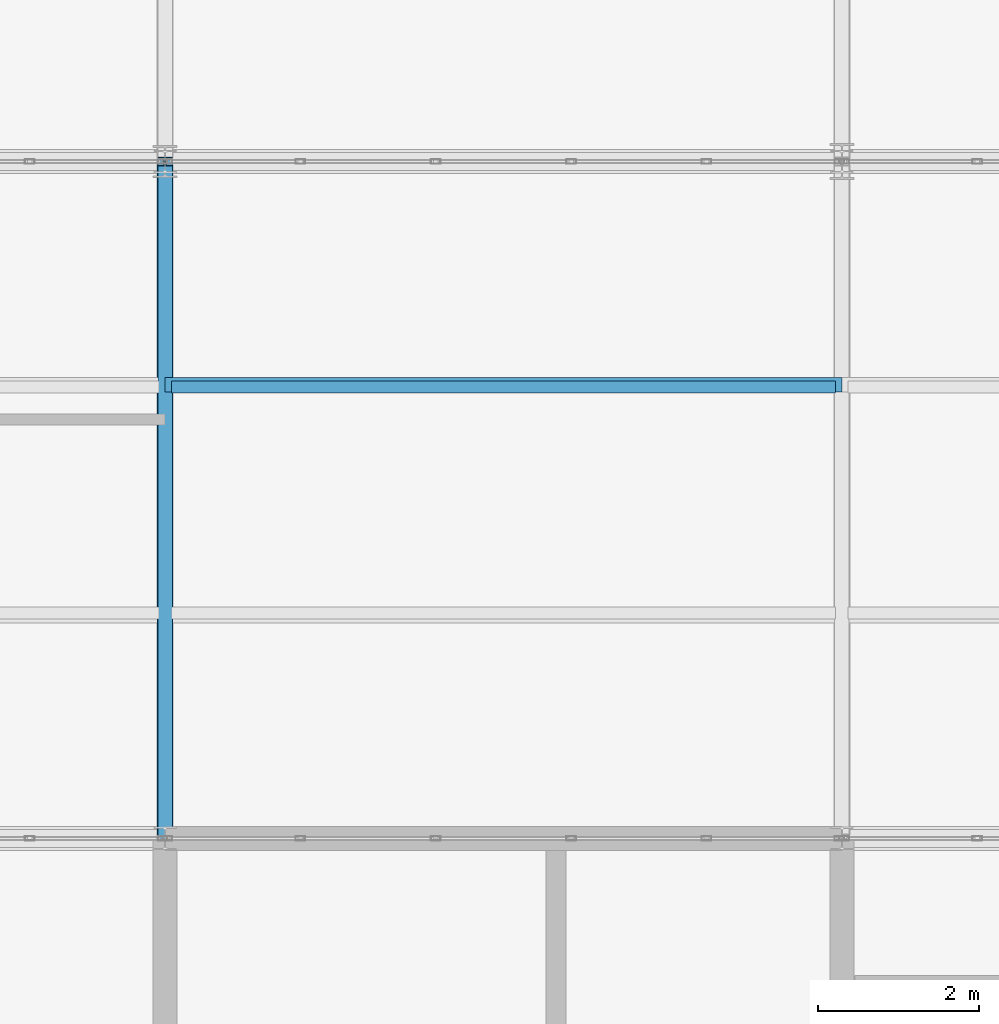
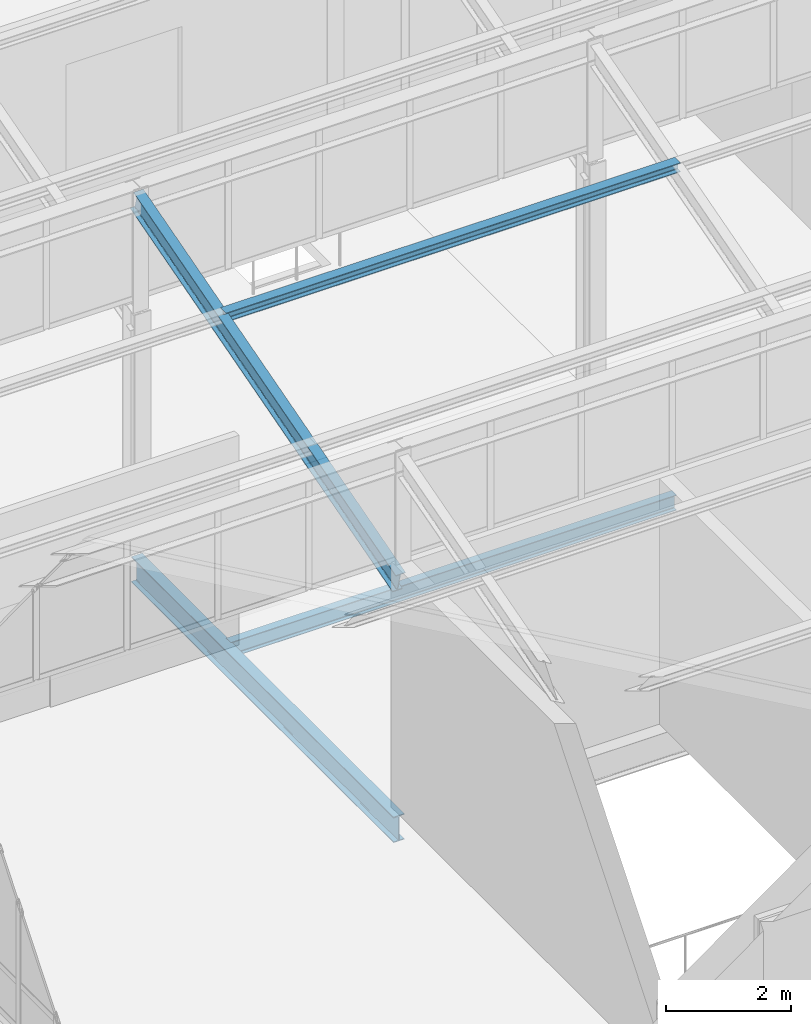
# One storey, part 17 of 53: 3 beams, 1 member.
"""IFC4 building model written with IfcOpenShell, lengths in metres."""

from ifc_helpers import new_model, si_unit, direction, frame, origin, origin_2d, place, context, subcontext, project, spatial, i_section, extrude, material, material_profile, profile_set, type_object, element, save


model = new_model("IFC4")

# Units and contexts
model_context = context("Model", 3, precision=1e-05, world=origin(), true_north=direction((0.0, 1.0)))
body_context = subcontext(model_context, "Body", "Model", "MODEL_VIEW")
ifc_project = project(units=[si_unit("LENGTHUNIT", "METRE"), si_unit("AREAUNIT", "SQUARE_METRE"), si_unit("VOLUMEUNIT", "CUBIC_METRE"), si_unit("PLANEANGLEUNIT", "RADIAN"), si_unit("MASSUNIT", "GRAM", prefix="KILO")], contexts=[model_context])

# Site, building, storey
site_placement = place(None, origin())
site = spatial("IfcSite", under=ifc_project, at=site_placement, CompositionType="ELEMENT")
building_placement = place(site_placement, origin())
building = spatial("IfcBuilding", under=site, at=building_placement, Name="Qalvenar Corner Mobility Hub", CompositionType="ELEMENT")
storey_placement = place(building_placement, frame((0.0, 0.0, 26.39990234375)))
storey = spatial("IfcBuildingStorey", under=building, at=storey_placement, Name="L06", CompositionType="ELEMENT", Elevation=26.39990234375)

# Beams
ifc_material = material(Name="Steel S355", Category="steel")
ifc_material_profile_1 = material_profile(ifc_material, i_section(OverallWidth=0.179931640625, OverallDepth=0.39990234375, WebThickness=0.008544921875, FlangeThickness=0.013427734375, FilletRadius=0.02099609375, at=origin_2d()), Name="IPE400")
ifc_profile_set_1 = profile_set([ifc_material_profile_1], Name="Steel S355")
beam_type_1 = type_object("IfcBeamType", Name="BM-IPE400", PredefinedType="BEAM", material=ifc_profile_set_1)
beam_1_placement = place(storey_placement, frame((8.39990234375, 16.800048828125, 4.340087890625), z_axis=(0.0, 0.96152605678, 0.274713745804), x_axis=(-1.0, 0.0, 0.0)))
element("IfcBeam", 1, at=beam_1_placement, inside=storey, type_object=beam_type_1, Name="Sawtooth Rafter V3RF-3-2", PredefinedType="BEAM", context=body_context, shape_type="SweptSolid", body=[
    extrude(i_section(OverallWidth=0.179931640625, OverallDepth=0.39990234375, WebThickness=0.008544921875, FlangeThickness=0.013427734375, FilletRadius=0.02099609375, at=origin_2d()), origin(), (0.0, 0.0, 1.0), 8.736083984375),
])
ifc_material_profile_2 = material_profile(ifc_material, i_section(OverallWidth=0.199951171875, OverallDepth=0.5, WebThickness=0.01025390625, FlangeThickness=0.01611328125, FilletRadius=0.02099609375, at=origin_2d()), Name="IPE500")
ifc_profile_set_2 = profile_set([ifc_material_profile_2], Name="Steel S355")
beam_type_2 = type_object("IfcBeamType", Name="BM-IPE500", PredefinedType="BEAM", material=ifc_profile_set_2)
beam_2_placement = place(storey_placement, frame((8.39990234375, 16.800048828125, -0.469970703125), z_axis=(0.0, 1.0, 0.0), x_axis=(-1.0, 0.0, 0.0)))
element("IfcBeam", 2, at=beam_2_placement, inside=storey, type_object=beam_type_2, Name="Primary Steel Girder GY-3083", PredefinedType="BEAM", context=body_context, shape_type="SweptSolid", body=[
    extrude(i_section(OverallWidth=0.199951171875, OverallDepth=0.5, WebThickness=0.01025390625, FlangeThickness=0.01611328125, FilletRadius=0.02099609375, at=origin_2d()), origin(), (0.0, 0.0, 1.0), 8.39990234375),
])
ifc_material_profile_3 = material_profile(ifc_material, i_section(OverallWidth=0.14990234375, OverallDepth=0.300048828125, WebThickness=0.007080078125, FlangeThickness=0.0107421875, FilletRadius=0.014892578125, at=origin_2d()), Name="IPE300")
ifc_profile_set_3 = profile_set([ifc_material_profile_3], Name="Steel S355")
beam_type_3 = type_object("IfcBeamType", Name="BM-JST300", PredefinedType="JOIST", material=ifc_profile_set_3)
beam_3_placement = place(storey_placement, frame((8.47802734375, 22.39990234375, -0.369873046875), z_axis=(1.0, 0.0, 0.0), x_axis=(0.0, 1.0, 0.0)))
element("IfcBeam", 3, at=beam_3_placement, inside=storey, type_object=beam_type_3, Name="Composite Floor Joist J-3113", PredefinedType="JOIST", context=body_context, shape_type="SweptSolid", body=[
    extrude(i_section(OverallWidth=0.14990234375, OverallDepth=0.300048828125, WebThickness=0.007080078125, FlangeThickness=0.0107421875, FilletRadius=0.014892578125, at=origin_2d()), origin(), (0.0, 0.0, 1.0), 8.243896484375),
])

# Member
ifc_material_profile_4 = material_profile(ifc_material, i_section(OverallWidth=0.179931640625, OverallDepth=0.179931640625, WebThickness=0.008544921875, FlangeThickness=0.013916015625, FilletRadius=0.014892578125, at=origin_2d()), Name="HEB180")
ifc_profile_set_4 = profile_set([ifc_material_profile_4], Name="Steel S355")
member_type = type_object("IfcMemberType", Name="PR-RHS180", PredefinedType="PURLIN", material=ifc_profile_set_4)
member_placement = place(storey_placement, frame((8.39990234375, 22.427978515625, 6.148193359375), z_axis=(1.0, 0.0, 0.0), x_axis=(0.0, 1.0, 0.0)))
element("IfcMember", 4, at=member_placement, inside=storey, type_object=member_type, Name="Sawtooth Roof Purlin PR-V3-3-2-67", PredefinedType="PURLIN", context=body_context, shape_type="SweptSolid", body=[
    extrude(i_section(OverallWidth=0.179931640625, OverallDepth=0.179931640625, WebThickness=0.008544921875, FlangeThickness=0.013916015625, FilletRadius=0.014892578125, at=origin_2d()), origin(), (0.0, 0.0, 1.0), 8.400146484375),
])

save(model, "model.ifc")
